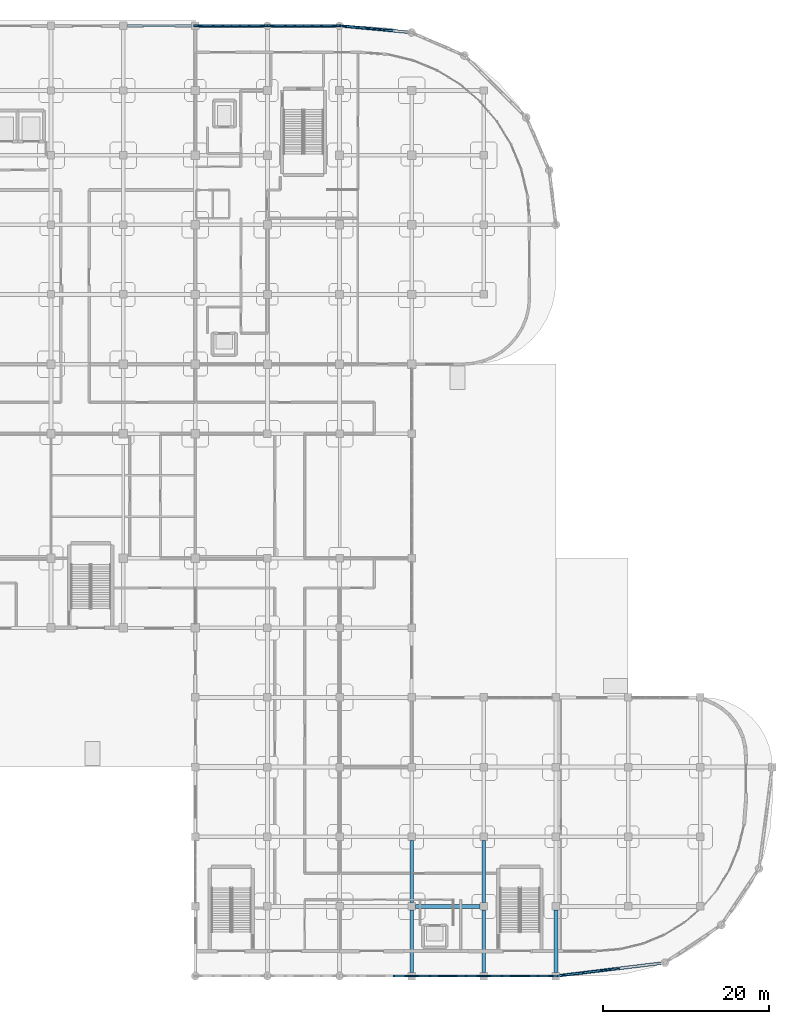
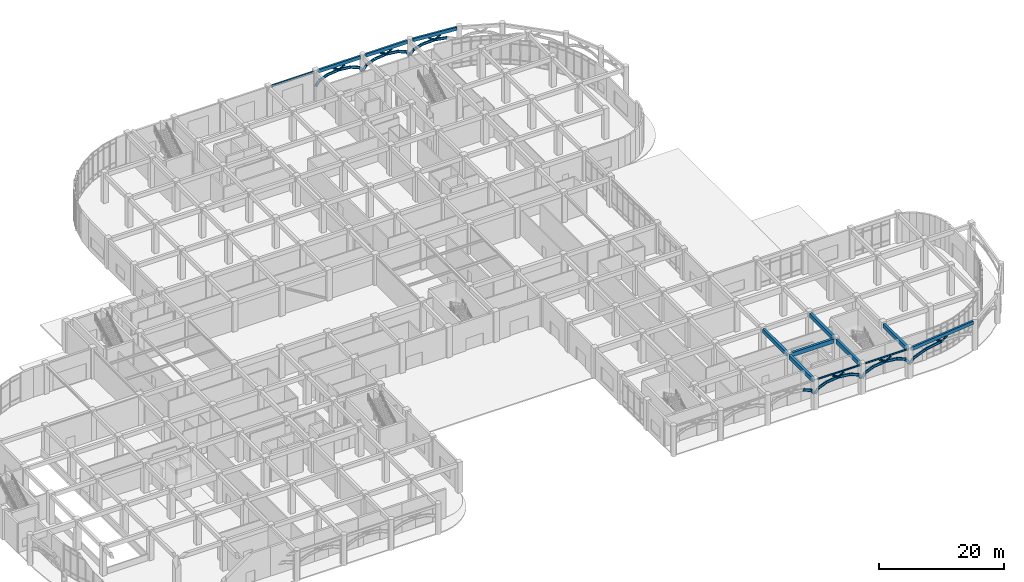
# One storey, part 26 of 82: 46 beams, 12 members.
"""IFC4 building model written with IfcOpenShell, lengths in metres."""

from ifc_helpers import new_model, si_unit, derived_unit, direction, frame, origin, origin_2d, place, context, subcontext, project, spatial, rectangle, i_section, extrude, material, material_profile, profile_set, type_object, element, save


model = new_model("IFC4")

# Units and contexts
model_context = context("Model", 3, precision=1e-05, world=origin(), true_north=direction((0.0, 1.0)))
body_context = subcontext(model_context, "Body", "Model", "MODEL_VIEW")
ifc_project = project(units=[si_unit("LENGTHUNIT", "METRE"), si_unit("AREAUNIT", "SQUARE_METRE"), si_unit("VOLUMEUNIT", "CUBIC_METRE"), si_unit("PLANEANGLEUNIT", "RADIAN"), si_unit("MASSUNIT", "GRAM", prefix="KILO"), derived_unit("THERMALTRANSMITTANCEUNIT", [(si_unit("MASSUNIT", "GRAM", prefix="KILO"), 1), (si_unit("TIMEUNIT", "SECOND"), -3), (si_unit("THERMODYNAMICTEMPERATUREUNIT", "KELVIN"), -1)])], contexts=[model_context])

# Site, building, storey
site_placement = place(None, origin())
site = spatial("IfcSite", under=ifc_project, at=site_placement, CompositionType="ELEMENT")
building_placement = place(site_placement, origin())
building = spatial("IfcBuilding", under=site, at=building_placement, Name="Qinzheling Arcade Emporium", CompositionType="ELEMENT")
storey_placement = place(building_placement, origin())
storey = spatial("IfcBuildingStorey", under=building, at=storey_placement, Name="L01", CompositionType="ELEMENT", Elevation=0.0)

# Beams
ifc_material_1 = material(Name="Weathering steel Q355NH", Category="steel")
ifc_material_profile_1 = material_profile(ifc_material_1, i_section(OverallWidth=0.199951171875, OverallDepth=0.5, WebThickness=0.010009765625, FlangeThickness=0.01611328125, FilletRadius=0.01806640625, at=origin_2d()), Name="HN 500x200x10x16", Category="steel")
ifc_profile_set_1 = profile_set([ifc_material_profile_1], Name="Weathering steel Q355NH")
beam_type_1 = type_object("IfcBeamType", Name="Arcade End Arch Rib HN500 Q355NH", PredefinedType="BEAM", material=ifc_profile_set_1)
beam_1_placement = place(storey_placement, frame((147.89990234375, 0.0, 2.4599609375), z_axis=(0.691919908028, 0.084066829325, 0.717063183465), x_axis=(-0.120610966673, 0.992699851273, 0.0)))
element("IfcBeam", 1, at=beam_1_placement, inside=storey, type_object=beam_type_1, Name="Curved Arcade Entrance Arch ARC-L01-CV4-B01-C01", PredefinedType="BEAM", context=body_context, shape_type="SweptSolid", body=[
    extrude(i_section(OverallWidth=0.199951171875, OverallDepth=0.5, WebThickness=0.010009765625, FlangeThickness=0.01611328125, FilletRadius=0.01806640625, at=origin_2d()), origin(), (0.0, 0.0, 1.0), 1.27197265625),
])
beam_2_placement = place(storey_placement, frame((148.780029296875, 0.10693359375, 3.3720703125), z_axis=(0.956925877646, 0.116615319709, 0.265882928937), x_axis=(-0.120969580346, 0.992656214724, 0.0)))
element("IfcBeam", 2, at=beam_2_placement, inside=storey, type_object=beam_type_1, Name="Curved Arcade Entrance Arch ARC-L01-CV4-B01-C02", PredefinedType="BEAM", context=body_context, shape_type="SweptSolid", body=[
    extrude(i_section(OverallWidth=0.199951171875, OverallDepth=0.5, WebThickness=0.010009765625, FlangeThickness=0.01611328125, FilletRadius=0.01806640625, at=origin_2d()), origin(), (0.0, 0.0, 1.0), 2.51220703125),
])
beam_3_placement = place(storey_placement, frame((151.18408203125, 0.39990234375, 4.0400390625), z_axis=(0.989984892404, 0.120334941572, 0.073820150701), x_axis=(-0.120664165238, 0.992693386312, 0.0)))
element("IfcBeam", 3, at=beam_3_placement, inside=storey, type_object=beam_type_1, Name="Curved Arcade Entrance Arch ARC-L01-CV4-B01-C03", PredefinedType="BEAM", context=body_context, shape_type="SweptSolid", body=[
    extrude(i_section(OverallWidth=0.199951171875, OverallDepth=0.5, WebThickness=0.010009765625, FlangeThickness=0.01611328125, FilletRadius=0.01806640625, at=origin_2d()), origin(), (0.0, 0.0, 1.0), 3.317138671875),
])
beam_4_placement = place(storey_placement, frame((128.31103515625, 113.9990234375, 4.070068359375), z_axis=(-0.989512805221, 0.091625679421, 0.111665317691), x_axis=(-0.092202324621, -0.995740293116, 0.0)))
element("IfcBeam", 4, at=beam_4_placement, inside=storey, type_object=beam_type_1, Name="Curved Arcade Entrance Arch ARC-L01-CV6-B05-C03", PredefinedType="BEAM", context=body_context, shape_type="SweptSolid", body=[
    extrude(i_section(OverallWidth=0.199951171875, OverallDepth=0.5, WebThickness=0.010009765625, FlangeThickness=0.01611328125, FilletRadius=0.01806640625, at=origin_2d()), origin(), (0.0, 0.0, 1.0), 2.19287109375),
])
beam_5_placement = place(storey_placement, frame((126.14111328125, 114.199951171875, 4.31494140625), z_axis=(-0.989564645738, 0.091133863135, -0.111608381837), x_axis=(-0.091706822835, -0.995786050638, 0.0)))
element("IfcBeam", 5, at=beam_5_placement, inside=storey, type_object=beam_type_1, Name="Curved Arcade Entrance Arch ARC-L01-CV6-B05-C04", PredefinedType="BEAM", context=body_context, shape_type="SweptSolid", body=[
    extrude(i_section(OverallWidth=0.199951171875, OverallDepth=0.5, WebThickness=0.010009765625, FlangeThickness=0.01611328125, FilletRadius=0.01806640625, at=origin_2d()), origin(), (0.0, 0.0, 1.0), 2.194091796875),
])
beam_6_placement = place(storey_placement, frame((123.969970703125, 114.39990234375, 4.070068359375), z_axis=(-0.918470784311, 0.08444734456, -0.386367783806), x_axis=(-0.091557240074, -0.995799815119, 0.0)))
element("IfcBeam", 6, at=beam_6_placement, inside=storey, type_object=beam_type_1, Name="Curved Arcade Entrance Arch ARC-L01-CV6-B05-C05", PredefinedType="BEAM", context=body_context, shape_type="SweptSolid", body=[
    extrude(i_section(OverallWidth=0.199951171875, OverallDepth=0.5, WebThickness=0.010009765625, FlangeThickness=0.01611328125, FilletRadius=0.01806640625, at=origin_2d()), origin(), (0.0, 0.0, 1.0), 1.728759765625),
])
beam_7_placement = place(storey_placement, frame((122.382080078125, 114.5458984375, 3.402099609375), z_axis=(-0.537252672745, 0.050029401573, -0.841936235476), x_axis=(-0.092719664552, -0.995692253563, 0.0)))
element("IfcBeam", 7, at=beam_7_placement, inside=storey, type_object=beam_type_1, Name="Curved Arcade Entrance Arch ARC-L01-CV6-B05-C06", PredefinedType="BEAM", context=body_context, shape_type="SweptSolid", body=[
    extrude(i_section(OverallWidth=0.199951171875, OverallDepth=0.5, WebThickness=0.010009765625, FlangeThickness=0.01611328125, FilletRadius=0.01806640625, at=origin_2d()), origin(), (0.0, 0.0, 1.0), 1.083251953125),
])
beam_8_placement = place(storey_placement, frame((128.324951171875, 0.0, 4.389892578125), z_axis=(0.922326129736, 0.0, -0.386412357988), x_axis=(0.0, 1.0, 0.0)))
element("IfcBeam", 8, at=beam_8_placement, inside=storey, type_object=beam_type_1, Name="Street Entrance Arch ARC-L01-S08-C05", PredefinedType="BEAM", context=body_context, shape_type="SweptSolid", body=[
    extrude(i_section(OverallWidth=0.199951171875, OverallDepth=0.5, WebThickness=0.010009765625, FlangeThickness=0.01611328125, FilletRadius=0.01806640625, at=origin_2d()), origin(), (0.0, 0.0, 1.0), 1.72607421875),
])
for number, where, z_axis, x_axis, name in (
    (9, (129.9169921875, 0.0, 3.722900390625), (0.53826032842, 0.0, -0.842778629801), (0.0, 1.0, 0.0), "Street Entrance Arch ARC-L01-S08-C06"),
    (10, (130.5, 0.0, 2.81005859375), (0.53826032842, 0.0, 0.842778629801), (0.0, 1.0, 0.0), "Street Entrance Arch ARC-L01-S09-C01"),
):
    element("IfcBeam", number, at=place(storey_placement, frame(where, z_axis=z_axis, x_axis=x_axis)), inside=storey, type_object=beam_type_1, Name=name, PredefinedType="BEAM", context=body_context, shape_type="SweptSolid", body=[
        extrude(i_section(OverallWidth=0.199951171875, OverallDepth=0.5, WebThickness=0.010009765625, FlangeThickness=0.01611328125, FilletRadius=0.01806640625, at=origin_2d()), origin(), (0.0, 0.0, 1.0), 1.083251953125),
    ])
beam_9_placement = place(storey_placement, frame((131.0830078125, 0.0, 3.722900390625), z_axis=(0.922326129736, 0.0, 0.386412357988), x_axis=(0.0, 1.0, 0.0)))
element("IfcBeam", 11, at=beam_9_placement, inside=storey, type_object=beam_type_1, Name="Street Entrance Arch ARC-L01-S09-C02", PredefinedType="BEAM", context=body_context, shape_type="SweptSolid", body=[
    extrude(i_section(OverallWidth=0.199951171875, OverallDepth=0.5, WebThickness=0.010009765625, FlangeThickness=0.01611328125, FilletRadius=0.01806640625, at=origin_2d()), origin(), (0.0, 0.0, 1.0), 1.72607421875),
])
beam_10_placement = place(storey_placement, frame((132.675048828125, 0.0, 4.389892578125), z_axis=(0.993709767638, 0.0, 0.111986149591), x_axis=(0.0, 1.0, 0.0)))
element("IfcBeam", 12, at=beam_10_placement, inside=storey, type_object=beam_type_1, Name="Street Entrance Arch ARC-L01-S09-C03", PredefinedType="BEAM", context=body_context, shape_type="SweptSolid", body=[
    extrude(i_section(OverallWidth=0.199951171875, OverallDepth=0.5, WebThickness=0.010009765625, FlangeThickness=0.01611328125, FilletRadius=0.01806640625, at=origin_2d()), origin(), (0.0, 0.0, 1.0), 2.188720703125),
])
beam_11_placement = place(storey_placement, frame((134.85009765625, 0.0, 4.635009765625), z_axis=(0.993708368594, 0.0, -0.111998563322), x_axis=(0.0, 1.0, 0.0)))
element("IfcBeam", 13, at=beam_11_placement, inside=storey, type_object=beam_type_1, Name="Street Entrance Arch ARC-L01-S09-C04", PredefinedType="BEAM", context=body_context, shape_type="SweptSolid", body=[
    extrude(i_section(OverallWidth=0.199951171875, OverallDepth=0.5, WebThickness=0.010009765625, FlangeThickness=0.01611328125, FilletRadius=0.01806640625, at=origin_2d()), origin(), (0.0, 0.0, 1.0), 2.1884765625),
])
beam_12_placement = place(storey_placement, frame((137.02490234375, 0.0, 4.389892578125), z_axis=(0.922326129736, 0.0, -0.386412357988), x_axis=(0.0, 1.0, 0.0)))
element("IfcBeam", 14, at=beam_12_placement, inside=storey, type_object=beam_type_1, Name="Street Entrance Arch ARC-L01-S09-C05", PredefinedType="BEAM", context=body_context, shape_type="SweptSolid", body=[
    extrude(i_section(OverallWidth=0.199951171875, OverallDepth=0.5, WebThickness=0.010009765625, FlangeThickness=0.01611328125, FilletRadius=0.01806640625, at=origin_2d()), origin(), (0.0, 0.0, 1.0), 1.72607421875),
])
for number, where, z_axis, x_axis, name in (
    (15, (138.616943359375, 0.0, 3.722900390625), (0.53826032842, 0.0, -0.842778629801), (0.0, 1.0, 0.0), "Street Entrance Arch ARC-L01-S09-C06"),
    (16, (139.199951171875, 0.0, 2.81005859375), (0.53826032842, 0.0, 0.842778629801), (0.0, 1.0, 0.0), "Street Entrance Arch ARC-L01-S10-C01"),
):
    element("IfcBeam", number, at=place(storey_placement, frame(where, z_axis=z_axis, x_axis=x_axis)), inside=storey, type_object=beam_type_1, Name=name, PredefinedType="BEAM", context=body_context, shape_type="SweptSolid", body=[
        extrude(i_section(OverallWidth=0.199951171875, OverallDepth=0.5, WebThickness=0.010009765625, FlangeThickness=0.01611328125, FilletRadius=0.01806640625, at=origin_2d()), origin(), (0.0, 0.0, 1.0), 1.083251953125),
    ])
beam_13_placement = place(storey_placement, frame((139.782958984375, 0.0, 3.722900390625), z_axis=(0.922326129736, 0.0, 0.386412357988), x_axis=(0.0, 1.0, 0.0)))
element("IfcBeam", 17, at=beam_13_placement, inside=storey, type_object=beam_type_1, Name="Street Entrance Arch ARC-L01-S10-C02", PredefinedType="BEAM", context=body_context, shape_type="SweptSolid", body=[
    extrude(i_section(OverallWidth=0.199951171875, OverallDepth=0.5, WebThickness=0.010009765625, FlangeThickness=0.01611328125, FilletRadius=0.01806640625, at=origin_2d()), origin(), (0.0, 0.0, 1.0), 1.72607421875),
])
for number, where, z_axis, x_axis, name in (
    (18, (141.375, 0.0, 4.389892578125), (0.993709767638, 0.0, 0.111986149591), (0.0, 1.0, 0.0), "Street Entrance Arch ARC-L01-S10-C03"),
    (19, (143.550048828125, 0.0, 4.635009765625), (0.993709767638, 0.0, -0.111986149591), (0.0, 1.0, 0.0), "Street Entrance Arch ARC-L01-S10-C04"),
):
    element("IfcBeam", number, at=place(storey_placement, frame(where, z_axis=z_axis, x_axis=x_axis)), inside=storey, type_object=beam_type_1, Name=name, PredefinedType="BEAM", context=body_context, shape_type="SweptSolid", body=[
        extrude(i_section(OverallWidth=0.199951171875, OverallDepth=0.5, WebThickness=0.010009765625, FlangeThickness=0.01611328125, FilletRadius=0.01806640625, at=origin_2d()), origin(), (0.0, 0.0, 1.0), 2.188720703125),
    ])
beam_14_placement = place(storey_placement, frame((145.72509765625, 0.0, 4.389892578125), z_axis=(0.922305006653, 0.0, -0.386462772726), x_axis=(0.0, 1.0, 0.0)))
element("IfcBeam", 20, at=beam_14_placement, inside=storey, type_object=beam_type_1, Name="Street Entrance Arch ARC-L01-S10-C05", PredefinedType="BEAM", context=body_context, shape_type="SweptSolid", body=[
    extrude(i_section(OverallWidth=0.199951171875, OverallDepth=0.5, WebThickness=0.010009765625, FlangeThickness=0.01611328125, FilletRadius=0.01806640625, at=origin_2d()), origin(), (0.0, 0.0, 1.0), 1.725830078125),
])
beam_15_placement = place(storey_placement, frame((147.31689453125, 0.0, 3.722900390625), z_axis=(0.53826032842, 0.0, -0.842778629801), x_axis=(0.0, 1.0, 0.0)))
element("IfcBeam", 21, at=beam_15_placement, inside=storey, type_object=beam_type_1, Name="Street Entrance Arch ARC-L01-S10-C06", PredefinedType="BEAM", context=body_context, shape_type="SweptSolid", body=[
    extrude(i_section(OverallWidth=0.199951171875, OverallDepth=0.5, WebThickness=0.010009765625, FlangeThickness=0.01611328125, FilletRadius=0.01806640625, at=origin_2d()), origin(), (0.0, 0.0, 1.0), 1.083251953125),
])
beam_16_placement = place(storey_placement, frame((104.39990234375, 114.60009765625, 2.489990234375), z_axis=(0.538567218058, 0.0, 0.842582548854), x_axis=(0.0, 1.0, 0.0)))
element("IfcBeam", 22, at=beam_16_placement, inside=storey, type_object=beam_type_1, Name="Street Entrance Arch ARC-L01-N01-C01", PredefinedType="BEAM", context=body_context, shape_type="SweptSolid", body=[
    extrude(i_section(OverallWidth=0.199951171875, OverallDepth=0.5, WebThickness=0.010009765625, FlangeThickness=0.01611328125, FilletRadius=0.01806640625, at=origin_2d()), origin(), (0.0, 0.0, 1.0), 1.08251953125),
])
beam_17_placement = place(storey_placement, frame((104.98291015625, 114.60009765625, 3.402099609375), z_axis=(0.922124413365, 0.0, 0.386893481823), x_axis=(0.0, 1.0, 0.0)))
element("IfcBeam", 23, at=beam_17_placement, inside=storey, type_object=beam_type_1, Name="Street Entrance Arch ARC-L01-N01-C02", PredefinedType="BEAM", context=body_context, shape_type="SweptSolid", body=[
    extrude(i_section(OverallWidth=0.199951171875, OverallDepth=0.5, WebThickness=0.010009765625, FlangeThickness=0.01611328125, FilletRadius=0.01806640625, at=origin_2d()), origin(), (0.0, 0.0, 1.0), 1.7265625),
])
for number, where, z_axis, x_axis, name in (
    (24, (106.574951171875, 114.60009765625, 4.070068359375), (0.993722174052, 0.0, 0.11187600635), (0.0, 1.0, 0.0), "Street Entrance Arch ARC-L01-N01-C03"),
    (25, (108.75, 114.60009765625, 4.31494140625), (0.993722174052, 0.0, -0.11187600635), (0.0, 1.0, 0.0), "Street Entrance Arch ARC-L01-N01-C04"),
):
    element("IfcBeam", number, at=place(storey_placement, frame(where, z_axis=z_axis, x_axis=x_axis)), inside=storey, type_object=beam_type_1, Name=name, PredefinedType="BEAM", context=body_context, shape_type="SweptSolid", body=[
        extrude(i_section(OverallWidth=0.199951171875, OverallDepth=0.5, WebThickness=0.010009765625, FlangeThickness=0.01611328125, FilletRadius=0.01806640625, at=origin_2d()), origin(), (0.0, 0.0, 1.0), 2.188720703125),
    ])
beam_18_placement = place(storey_placement, frame((110.925048828125, 114.60009765625, 4.070068359375), z_axis=(0.922124413365, 0.0, -0.386893481823), x_axis=(0.0, 1.0, 0.0)))
element("IfcBeam", 26, at=beam_18_placement, inside=storey, type_object=beam_type_1, Name="Street Entrance Arch ARC-L01-N01-C05", PredefinedType="BEAM", context=body_context, shape_type="SweptSolid", body=[
    extrude(i_section(OverallWidth=0.199951171875, OverallDepth=0.5, WebThickness=0.010009765625, FlangeThickness=0.01611328125, FilletRadius=0.01806640625, at=origin_2d()), origin(), (0.0, 0.0, 1.0), 1.7265625),
])
for number, where, z_axis, x_axis, name in (
    (27, (112.51708984375, 114.60009765625, 3.402099609375), (0.538567218058, 0.0, -0.842582548854), (0.0, 1.0, 0.0), "Street Entrance Arch ARC-L01-N01-C06"),
    (28, (113.10009765625, 114.60009765625, 2.489990234375), (0.538567218058, 0.0, 0.842582548854), (0.0, 1.0, 0.0), "Street Entrance Arch ARC-L01-N02-C01"),
):
    element("IfcBeam", number, at=place(storey_placement, frame(where, z_axis=z_axis, x_axis=x_axis)), inside=storey, type_object=beam_type_1, Name=name, PredefinedType="BEAM", context=body_context, shape_type="SweptSolid", body=[
        extrude(i_section(OverallWidth=0.199951171875, OverallDepth=0.5, WebThickness=0.010009765625, FlangeThickness=0.01611328125, FilletRadius=0.01806640625, at=origin_2d()), origin(), (0.0, 0.0, 1.0), 1.08251953125),
    ])
beam_19_placement = place(storey_placement, frame((113.68310546875, 114.60009765625, 3.402099609375), z_axis=(0.922103242281, 0.0, 0.386943937251), x_axis=(0.0, 1.0, 0.0)))
element("IfcBeam", 29, at=beam_19_placement, inside=storey, type_object=beam_type_1, Name="Street Entrance Arch ARC-L01-N02-C02", PredefinedType="BEAM", context=body_context, shape_type="SweptSolid", body=[
    extrude(i_section(OverallWidth=0.199951171875, OverallDepth=0.5, WebThickness=0.010009765625, FlangeThickness=0.01611328125, FilletRadius=0.01806640625, at=origin_2d()), origin(), (0.0, 0.0, 1.0), 1.726318359375),
])
for number, where, z_axis, x_axis, name in (
    (30, (115.27490234375, 114.60009765625, 4.070068359375), (0.993722174052, 0.0, 0.11187600635), (0.0, 1.0, 0.0), "Street Entrance Arch ARC-L01-N02-C03"),
    (31, (117.449951171875, 114.60009765625, 4.31494140625), (0.993722174052, 0.0, -0.11187600635), (0.0, 1.0, 0.0), "Street Entrance Arch ARC-L01-N02-C04"),
):
    element("IfcBeam", number, at=place(storey_placement, frame(where, z_axis=z_axis, x_axis=x_axis)), inside=storey, type_object=beam_type_1, Name=name, PredefinedType="BEAM", context=body_context, shape_type="SweptSolid", body=[
        extrude(i_section(OverallWidth=0.199951171875, OverallDepth=0.5, WebThickness=0.010009765625, FlangeThickness=0.01611328125, FilletRadius=0.01806640625, at=origin_2d()), origin(), (0.0, 0.0, 1.0), 2.188720703125),
    ])
beam_20_placement = place(storey_placement, frame((119.625, 114.60009765625, 4.070068359375), z_axis=(0.922124413365, 0.0, -0.386893481823), x_axis=(0.0, 1.0, 0.0)))
element("IfcBeam", 32, at=beam_20_placement, inside=storey, type_object=beam_type_1, Name="Street Entrance Arch ARC-L01-N02-C05", PredefinedType="BEAM", context=body_context, shape_type="SweptSolid", body=[
    extrude(i_section(OverallWidth=0.199951171875, OverallDepth=0.5, WebThickness=0.010009765625, FlangeThickness=0.01611328125, FilletRadius=0.01806640625, at=origin_2d()), origin(), (0.0, 0.0, 1.0), 1.7265625),
])
beam_21_placement = place(storey_placement, frame((121.217041015625, 114.60009765625, 3.402099609375), z_axis=(0.538567218058, 0.0, -0.842582548854), x_axis=(0.0, 1.0, 0.0)))
element("IfcBeam", 33, at=beam_21_placement, inside=storey, type_object=beam_type_1, Name="Street Entrance Arch ARC-L01-N02-C06", PredefinedType="BEAM", context=body_context, shape_type="SweptSolid", body=[
    extrude(i_section(OverallWidth=0.199951171875, OverallDepth=0.5, WebThickness=0.010009765625, FlangeThickness=0.01611328125, FilletRadius=0.01806640625, at=origin_2d()), origin(), (0.0, 0.0, 1.0), 1.08251953125),
])

# Members
ifc_material_profile_2 = material_profile(ifc_material_1, i_section(OverallWidth=0.14990234375, OverallDepth=0.300048828125, WebThickness=0.006591796875, FlangeThickness=0.009033203125, FilletRadius=0.012939453125, at=origin_2d()), Name="HN 300x150x6.5x9", Category="steel")
ifc_profile_set_2 = profile_set([ifc_material_profile_2], Name="Weathering steel Q355NH")
member_type = type_object("IfcMemberType", Name="Arcade Spandrel Web Chord HN300 Q355NH", PredefinedType="CHORD", material=ifc_profile_set_2)
for number, where, z_axis, x_axis, name in (
    (34, (154.468017578125, 0.799072265625, 4.294921875), (-0.847570404758, -0.10247102363, 0.520695782867), (0.120025708638, -0.99277078385, 0.0), "Arcade Spandrel Web Chord ASW-L01-CV4-B01-W1"),
    (35, (154.468017578125, 0.799072265625, 4.294921875), (0.847501155511, 0.103256935536, 0.520653240335), (-0.120942582545, 0.992659504426, 0.0), "Arcade Spandrel Web Chord ASW-L01-CV4-B01-W2"),
):
    element("IfcMember", number, at=place(storey_placement, frame(where, z_axis=z_axis, x_axis=x_axis)), inside=storey, type_object=member_type, Name=name, PredefinedType="CHORD", context=body_context, shape_type="SweptSolid", body=[
        extrude(i_section(OverallWidth=0.14990234375, OverallDepth=0.300048828125, WebThickness=0.006591796875, FlangeThickness=0.009033203125, FilletRadius=0.012939453125, at=origin_2d()), origin(), (0.0, 0.0, 1.0), 1.2294921875),
    ])
member_1_placement = place(storey_placement, frame((126.14111328125, 114.199951171875, 4.324951171875), z_axis=(0.850275379223, -0.078795360773, 0.520406639665), x_axis=(0.092275028627, 0.995733558283, 0.0)))
element("IfcMember", 36, at=member_1_placement, inside=storey, type_object=member_type, Name="Arcade Spandrel Web Chord ASW-L01-CV6-B05-W1", PredefinedType="CHORD", context=body_context, shape_type="SweptSolid", body=[
    extrude(i_section(OverallWidth=0.14990234375, OverallDepth=0.300048828125, WebThickness=0.006591796875, FlangeThickness=0.009033203125, FilletRadius=0.012939453125, at=origin_2d()), origin(), (0.0, 0.0, 1.0), 1.22998046875),
])
member_2_placement = place(storey_placement, frame((126.14111328125, 114.199951171875, 4.324951171875), z_axis=(-0.850383262327, 0.077993144013, 0.520351205092), x_axis=(-0.09133196205, -0.995820502253, 0.0)))
element("IfcMember", 37, at=member_2_placement, inside=storey, type_object=member_type, Name="Arcade Spandrel Web Chord ASW-L01-CV6-B05-W2", PredefinedType="CHORD", context=body_context, shape_type="SweptSolid", body=[
    extrude(i_section(OverallWidth=0.14990234375, OverallDepth=0.300048828125, WebThickness=0.006591796875, FlangeThickness=0.009033203125, FilletRadius=0.012939453125, at=origin_2d()), origin(), (0.0, 0.0, 1.0), 1.230224609375),
])
member_3_placement = place(storey_placement, frame((134.85009765625, 0.0, 4.64501953125), z_axis=(-0.85393390348, 0.0, 0.520381483613), x_axis=(0.0, -1.0, 0.0)))
element("IfcMember", 38, at=member_3_placement, inside=storey, type_object=member_type, Name="Street Spandrel Web Chord ASW-L01-S09-W1", PredefinedType="CHORD", context=body_context, shape_type="SweptSolid", body=[
    extrude(i_section(OverallWidth=0.14990234375, OverallDepth=0.300048828125, WebThickness=0.006591796875, FlangeThickness=0.009033203125, FilletRadius=0.012939453125, at=origin_2d()), origin(), (0.0, 0.0, 1.0), 1.229736328125),
])
member_4_placement = place(storey_placement, frame((134.85009765625, 0.0, 4.64501953125), z_axis=(0.853880124948, 0.0, 0.520469722672), x_axis=(0.0, 1.0, 0.0)))
element("IfcMember", 39, at=member_4_placement, inside=storey, type_object=member_type, Name="Street Spandrel Web Chord ASW-L01-S09-W2", PredefinedType="CHORD", context=body_context, shape_type="SweptSolid", body=[
    extrude(i_section(OverallWidth=0.14990234375, OverallDepth=0.300048828125, WebThickness=0.006591796875, FlangeThickness=0.009033203125, FilletRadius=0.012939453125, at=origin_2d()), origin(), (0.0, 0.0, 1.0), 1.2294921875),
])
for number, where, z_axis, x_axis, name in (
    (40, (143.550048828125, 0.0, 4.64501953125), (-0.85393390348, 0.0, 0.520381483613), (0.0, -1.0, 0.0), "Street Spandrel Web Chord ASW-L01-S10-W1"),
    (41, (143.550048828125, 0.0, 4.64501953125), (0.85393390348, 0.0, 0.520381483613), (0.0, 1.0, 0.0), "Street Spandrel Web Chord ASW-L01-S10-W2"),
    (42, (108.75, 114.60009765625, 4.324951171875), (-0.853845673448, 0.0, 0.520526239428), (0.0, -1.0, 0.0), "Street Spandrel Web Chord ASW-L01-N01-W1"),
    (43, (108.75, 114.60009765625, 4.324951171875), (0.853845673448, 0.0, 0.520526239428), (0.0, 1.0, 0.0), "Street Spandrel Web Chord ASW-L01-N01-W2"),
    (44, (117.449951171875, 114.60009765625, 4.324951171875), (-0.853845673448, 0.0, 0.520526239428), (0.0, -1.0, 0.0), "Street Spandrel Web Chord ASW-L01-N02-W1"),
    (45, (117.449951171875, 114.60009765625, 4.324951171875), (0.853845673448, 0.0, 0.520526239428), (0.0, 1.0, 0.0), "Street Spandrel Web Chord ASW-L01-N02-W2"),
):
    element("IfcMember", number, at=place(storey_placement, frame(where, z_axis=z_axis, x_axis=x_axis)), inside=storey, type_object=member_type, Name=name, PredefinedType="CHORD", context=body_context, shape_type="SweptSolid", body=[
        extrude(i_section(OverallWidth=0.14990234375, OverallDepth=0.300048828125, WebThickness=0.006591796875, FlangeThickness=0.009033203125, FilletRadius=0.012939453125, at=origin_2d()), origin(), (0.0, 0.0, 1.0), 1.229736328125),
    ])

# Beams
ifc_material_2 = material(Name="Structural steel Q355B", Category="steel")
ifc_material_profile_3 = material_profile(ifc_material_2, i_section(OverallWidth=0.300048828125, OverallDepth=0.389892578125, WebThickness=0.010009765625, FlangeThickness=0.01611328125, FilletRadius=0.02001953125, at=origin_2d()), Name="HM 390x300x10x16", Category="steel")
ifc_profile_set_3 = profile_set([ifc_material_profile_3], Name="Structural steel Q355B")
beam_type_2 = type_object("IfcBeamType", Name="Loading Canopy Beam HM390 Q355B", PredefinedType="BEAM", material=ifc_profile_set_3)
beam_22_placement = place(storey_placement, frame((96.14990234375, 114.60009765625, 5.4951171875), z_axis=(1.0, 0.0, 0.0), x_axis=(0.0, 1.0, 0.0)))
element("IfcBeam", 46, at=beam_22_placement, inside=storey, type_object=beam_type_2, Name="Beam BM-L01-X-P-12", PredefinedType="BEAM", context=body_context, shape_type="SweptSolid", body=[
    extrude(i_section(OverallWidth=0.300048828125, OverallDepth=0.389892578125, WebThickness=0.010009765625, FlangeThickness=0.01611328125, FilletRadius=0.02001953125, at=origin_2d()), origin(), (0.0, 0.0, 1.0), 7.800048828125),
])
ifc_material_3 = material(Name="Concrete C40", Category="concrete")
ifc_material_profile_4 = material_profile(ifc_material_3, rectangle(XDim=0.449951171875, YDim=0.800048828125, at=origin_2d()), Name="RC 450x800", Category="concrete")
ifc_profile_set_4 = profile_set([ifc_material_profile_4], Name="Concrete C40")
beam_type_3 = type_object("IfcBeamType", Name="RC Primary Frame Beam 450x800 C40", PredefinedType="BEAM", material=ifc_profile_set_4)
beam_23_placement = place(storey_placement, frame((130.949951171875, 8.39990234375, 5.304931640625), z_axis=(1.0, 0.0, 0.0), x_axis=(0.0, 1.0, 0.0)))
element("IfcBeam", 47, at=beam_23_placement, inside=storey, type_object=beam_type_3, Name="Beam BM-L01-X-B-16", PredefinedType="BEAM", context=body_context, shape_type="SweptSolid", body=[
    extrude(rectangle(XDim=0.449951171875, YDim=0.800048828125, at=origin_2d()), origin(), (0.0, 0.0, 1.0), 7.800048828125),
])
for number, where, z_axis, x_axis, name in (
    (48, (130.5, 0.449951171875, 5.304931640625), (0.0, 1.0, 0.0), (-1.0, 0.0, 0.0), "Beam BM-L01-Y-16-A"),
    (49, (130.5, 8.85009765625, 5.304931640625), (0.0, 1.0, 0.0), (-1.0, 0.0, 0.0), "Beam BM-L01-Y-16-B"),
    (50, (139.199951171875, 0.449951171875, 5.304931640625), (0.0, 1.0, 0.0), (-1.0, 0.0, 0.0), "Beam BM-L01-Y-17-A"),
    (51, (139.199951171875, 8.85009765625, 5.304931640625), (0.0, 1.0, 0.0), (-1.0, 0.0, 0.0), "Beam BM-L01-Y-17-B"),
    (52, (147.89990234375, 0.449951171875, 5.304931640625), (0.0, 1.0, 0.0), (-1.0, 0.0, 0.0), "Beam BM-L01-Y-18-A"),
):
    element("IfcBeam", number, at=place(storey_placement, frame(where, z_axis=z_axis, x_axis=x_axis)), inside=storey, type_object=beam_type_3, Name=name, PredefinedType="BEAM", context=body_context, shape_type="SweptSolid", body=[
        extrude(rectangle(XDim=0.449951171875, YDim=0.800048828125, at=origin_2d()), origin(), (0.0, 0.0, 1.0), 7.5),
    ])
ifc_material_profile_5 = material_profile(ifc_material_3, rectangle(XDim=0.35009765625, YDim=0.64990234375, at=origin_2d()), Name="RC 350x650", Category="concrete")
ifc_profile_set_5 = profile_set([ifc_material_profile_5], Name="Concrete C40")
beam_type_4 = type_object("IfcBeamType", Name="RC Spandrel Edge Beam 350x650 C40", PredefinedType="SPANDREL", material=ifc_profile_set_5)
beam_24_placement = place(storey_placement, frame((104.85009765625, 114.60009765625, 5.409912109375), z_axis=(1.0, 0.0, 0.0), x_axis=(0.0, 1.0, 0.0)))
element("IfcBeam", 53, at=beam_24_placement, inside=storey, type_object=beam_type_4, Name="Beam BM-L01-X-P-13", PredefinedType="SPANDREL", context=body_context, shape_type="SweptSolid", body=[
    extrude(rectangle(XDim=0.35009765625, YDim=0.64990234375, at=origin_2d()), origin(), (0.0, 0.0, 1.0), 7.77490234375),
])
beam_25_placement = place(storey_placement, frame((113.574951171875, 114.60009765625, 5.409912109375), z_axis=(1.0, 0.0, 0.0), x_axis=(0.0, 1.0, 0.0)))
element("IfcBeam", 54, at=beam_25_placement, inside=storey, type_object=beam_type_4, Name="Beam BM-L01-X-P-14", PredefinedType="SPANDREL", context=body_context, shape_type="SweptSolid", body=[
    extrude(rectangle(XDim=0.35009765625, YDim=0.64990234375, at=origin_2d()), origin(), (0.0, 0.0, 1.0), 7.75),
])
beam_26_placement = place(storey_placement, frame((148.366943359375, 0.056884765625, 5.3798828125), z_axis=(0.992674779847, 0.120817140572, 0.0), x_axis=(-0.120817140572, 0.992674779847, 0.0)))
element("IfcBeam", 55, at=beam_26_placement, inside=storey, type_object=beam_type_4, Name="Curved Arcade Spandrel BM-L01-CV4-B01", PredefinedType="SPANDREL", context=body_context, shape_type="SweptSolid", body=[
    extrude(rectangle(XDim=0.35009765625, YDim=0.64990234375, at=origin_2d()), origin(), (0.0, 0.0, 1.0), 12.292236328125),
])
beam_27_placement = place(storey_placement, frame((130.013916015625, 113.842041015625, 5.409912109375), z_axis=(-0.995768534988, 0.09189681566, 0.0), x_axis=(-0.09189681566, -0.995768534988, 0.0)))
element("IfcBeam", 56, at=beam_27_placement, inside=storey, type_object=beam_type_4, Name="Curved Arcade Spandrel BM-L01-CV6-B05", PredefinedType="SPANDREL", context=body_context, shape_type="SweptSolid", body=[
    extrude(rectangle(XDim=0.35009765625, YDim=0.64990234375, at=origin_2d()), origin(), (0.0, 0.0, 1.0), 7.77880859375),
])
ifc_material_profile_6 = material_profile(ifc_material_2, i_section(OverallWidth=0.14990234375, OverallDepth=0.300048828125, WebThickness=0.006591796875, FlangeThickness=0.009033203125, FilletRadius=0.012939453125, at=origin_2d()), Name="HN 300x150x6.5x9", Category="steel")
ifc_profile_set_6 = profile_set([ifc_material_profile_6], Name="Structural steel Q355B")
beam_type_5 = type_object("IfcBeamType", Name="Shopfront Portal Lintel HN300 Q355B", PredefinedType="LINTEL", material=ifc_profile_set_6)
for number, where, z_axis, x_axis, name in (
    (57, (130.949951171875, 0.0, 5.554931640625), (1.0, 0.0, 0.0), (0.0, 1.0, 0.0), "Beam BM-L01-X-A-16"),
    (58, (139.64990234375, 0.0, 5.554931640625), (1.0, 0.0, 0.0), (0.0, 1.0, 0.0), "Beam BM-L01-X-A-17"),
):
    element("IfcBeam", number, at=place(storey_placement, frame(where, z_axis=z_axis, x_axis=x_axis)), inside=storey, type_object=beam_type_5, Name=name, PredefinedType="LINTEL", context=body_context, shape_type="SweptSolid", body=[
        extrude(i_section(OverallWidth=0.14990234375, OverallDepth=0.300048828125, WebThickness=0.006591796875, FlangeThickness=0.009033203125, FilletRadius=0.012939453125, at=origin_2d()), origin(), (0.0, 0.0, 1.0), 7.800048828125),
    ])

save(model, "model.ifc")
